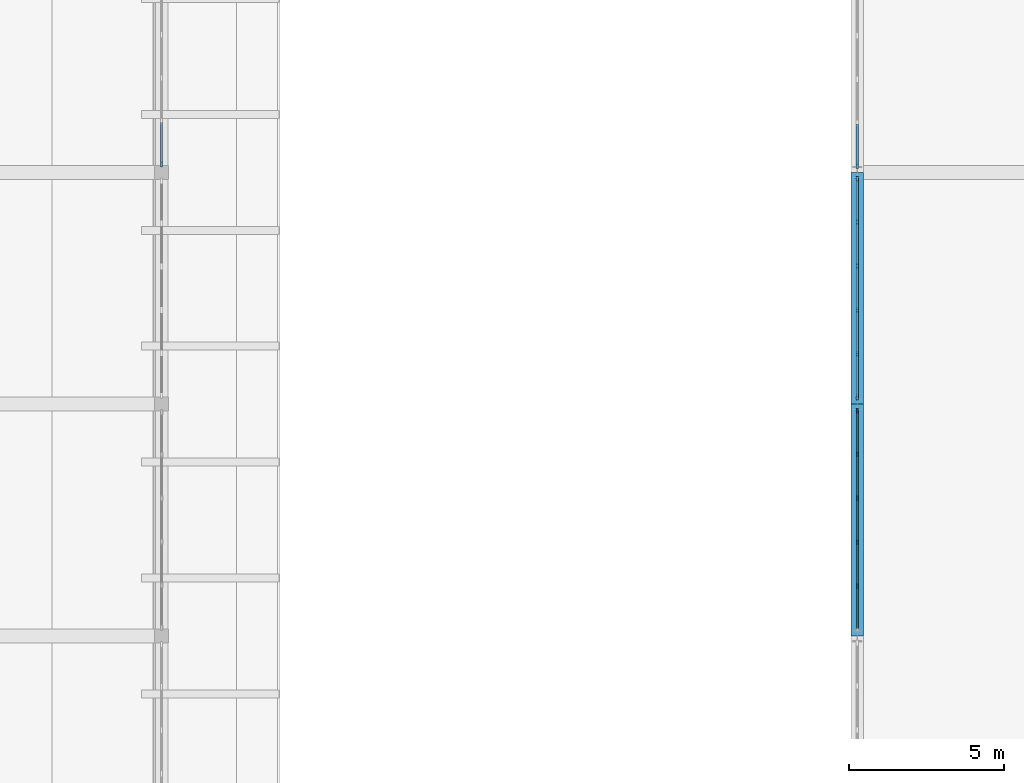
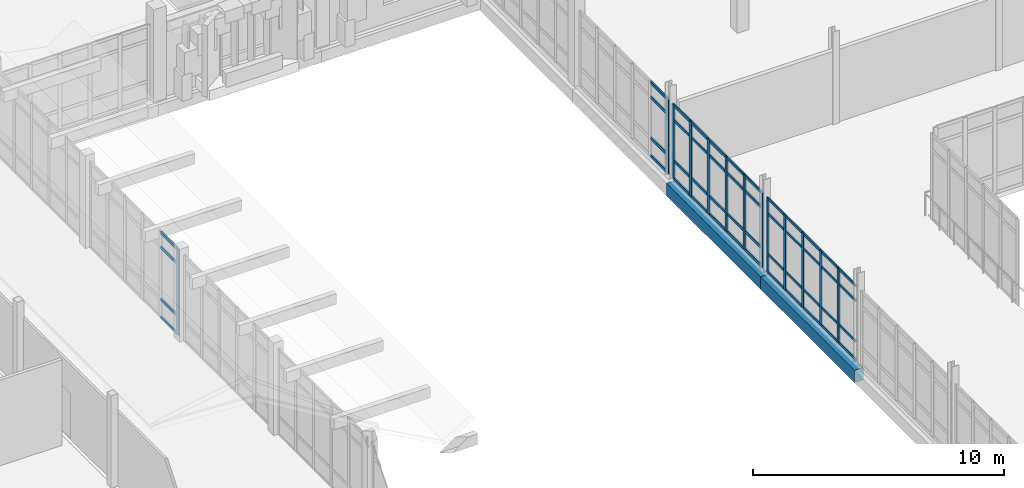
# One storey, part 25 of 128: 61 members, 2 beams, 4 elements without a shape of their own.
"""IFC4 building model written with IfcOpenShell, lengths in metres."""

from ifc_helpers import new_model, si_unit, direction, frame, origin, origin_2d, place, context, subcontext, project, spatial, rectangle, extrude, material, layer, layer_set, material_profile, profile_set, type_object, element, aggregate, save


model = new_model("IFC4")

# Units and contexts
model_context = context("Model", 3, precision=1e-05, world=origin(), true_north=direction((0.0, 1.0)))
body_context = subcontext(model_context, "Body", "Model", "MODEL_VIEW")
ifc_project = project(units=[si_unit("LENGTHUNIT", "METRE"), si_unit("AREAUNIT", "SQUARE_METRE"), si_unit("VOLUMEUNIT", "CUBIC_METRE"), si_unit("PLANEANGLEUNIT", "RADIAN"), si_unit("MASSUNIT", "GRAM", prefix="KILO")], contexts=[model_context])

# Site, building, storey
site_placement = place(None, origin())
site = spatial("IfcSite", under=ifc_project, at=site_placement, CompositionType="ELEMENT")
building_placement = place(site_placement, origin())
building = spatial("IfcBuilding", under=site, at=building_placement, Name="Dalvernix Boulevard General Hospital", CompositionType="ELEMENT")
storey_placement = place(building_placement, frame((0.0, 0.0, 4.800048828125)))
storey = spatial("IfcBuildingStorey", under=building, at=storey_placement, Name="L01", CompositionType="ELEMENT", Elevation=4.800048828125)

# Beams
ifc_material_1 = material(Name="Concrete C35/45", Category="concrete")
ifc_material_profile_1 = material_profile(ifc_material_1, rectangle(XDim=0.39990234375, YDim=0.60009765625, at=origin_2d()), Name="RCB 400x600")
ifc_profile_set_1 = profile_set([ifc_material_profile_1], Name="Concrete C35/45")
beam_type = type_object("IfcBeamType", Name="BM-SB-02-E", PredefinedType="SPANDREL", material=ifc_profile_set_1)
for number, where, z_axis, x_axis, name in (
    (1, (60.0, 46.5, -0.60009765625), (0.0, 1.0, 0.0), (-1.0, 0.0, 0.0), "L01 N-S girder 9:G-H"),
    (2, (60.0, 54.0, -0.60009765625), (0.0, 1.0, 0.0), (-1.0, 0.0, 0.0), "L01 N-S girder 9:H-J"),
):
    element("IfcBeam", number, at=place(storey_placement, frame(where, z_axis=z_axis, x_axis=x_axis)), inside=storey, type_object=beam_type, Name=name, PredefinedType="SPANDREL", context=body_context, shape_type="SweptSolid", body=[
        extrude(rectangle(XDim=0.39990234375, YDim=0.60009765625, at=origin_2d()), origin(), (0.0, 0.0, 1.0), 7.5),
    ])

# Curtain wall, members
ifc_material_2 = material(Name="Thermally broken aluminium and solar-control glass curtain wall", Category="aluminium")
ifc_layer_1 = layer(ifc_material_2, 0.159912109375)
ifc_layer_set_1 = layer_set([ifc_layer_1], Name="Thermally broken aluminium and solar-control glass curtain wall (CW-CW-A-71x36)")
curtain_wall_type_1 = type_object("IfcCurtainWallType", Name="CW-CW-A-71x36", PredefinedType="USERDEFINED", material=ifc_layer_set_1)
curtain_wall_1_placement = place(storey_placement, origin())
curtain_wall_1 = element("IfcCurtainWall", 3, at=curtain_wall_1_placement, inside=storey, type_object=curtain_wall_type_1, Name="L01 curtain wall CW-A-71x36 8-6", ObjectType="GLAZED FACADE", PredefinedType="USERDEFINED")
ifc_material_3 = material(Name="Aluminium EN AW-6060", Category="aluminium")
ifc_material_profile_2 = material_profile(ifc_material_3, rectangle(XDim=0.06005859375, YDim=0.159912109375, at=origin_2d()), Name="ALU MULL 60x160")
ifc_profile_set_2 = profile_set([ifc_material_profile_2], Name="Aluminium EN AW-6060")
member_type_1 = type_object("IfcMemberType", Name="MEM-CW-M1", PredefinedType="MULLION", material=ifc_profile_set_2)
member_1_placement = place(storey_placement, frame((60.0, 48.114013671875, 0.0), z_axis=(0.0, 0.0, 1.0), x_axis=(-1.0, 0.0, 0.0)))
member_1 = element("IfcMember", 4, at=member_1_placement, type_object=member_type_1, Name="CW-A-71x36 mullion 2", PredefinedType="MULLION", context=body_context, shape_type="SweptSolid", body=[
    extrude(rectangle(XDim=0.06005859375, YDim=0.159912109375, at=origin_2d()), origin(), (0.0, 0.0, 1.0), 3.6298828125),
])
member_2_placement = place(storey_placement, frame((60.0, 49.5380859375, 0.0), z_axis=(0.0, 0.0, 1.0), x_axis=(-1.0, 0.0, 0.0)))
member_2 = element("IfcMember", 5, at=member_2_placement, type_object=member_type_1, Name="CW-A-71x36 mullion 3", PredefinedType="MULLION", context=body_context, shape_type="SweptSolid", body=[
    extrude(rectangle(XDim=0.06005859375, YDim=0.159912109375, at=origin_2d()), origin(), (0.0, 0.0, 1.0), 3.6298828125),
])
member_3_placement = place(storey_placement, frame((60.0, 50.9619140625, 0.0), z_axis=(0.0, 0.0, 1.0), x_axis=(-1.0, 0.0, 0.0)))
member_3 = element("IfcMember", 6, at=member_3_placement, type_object=member_type_1, Name="CW-A-71x36 mullion 4", PredefinedType="MULLION", context=body_context, shape_type="SweptSolid", body=[
    extrude(rectangle(XDim=0.06005859375, YDim=0.159912109375, at=origin_2d()), origin(), (0.0, 0.0, 1.0), 3.6298828125),
])
member_4_placement = place(storey_placement, frame((60.0, 52.385986328125, 0.0), z_axis=(0.0, 0.0, 1.0), x_axis=(-1.0, 0.0, 0.0)))
member_4 = element("IfcMember", 7, at=member_4_placement, type_object=member_type_1, Name="CW-A-71x36 mullion 5", PredefinedType="MULLION", context=body_context, shape_type="SweptSolid", body=[
    extrude(rectangle(XDim=0.06005859375, YDim=0.159912109375, at=origin_2d()), origin(), (0.0, 0.0, 1.0), 3.6298828125),
])
member_5_placement = place(storey_placement, frame((60.0, 53.780029296875, 0.0), z_axis=(0.0, 0.0, 1.0), x_axis=(-1.0, 0.0, 0.0)))
member_5 = element("IfcMember", 8, at=member_5_placement, type_object=member_type_1, Name="CW-A-71x36 mullion 6", PredefinedType="MULLION", context=body_context, shape_type="SweptSolid", body=[
    extrude(rectangle(XDim=0.06005859375, YDim=0.159912109375, at=origin_2d()), origin(), (0.0, 0.0, 1.0), 3.6298828125),
])

ifc_layer_2 = layer(ifc_material_2, 0.179931640625)
ifc_layer_set_2 = layer_set([ifc_layer_2], Name="Thermally broken aluminium and solar-control glass curtain wall (CW-CW-B-71x36)")
curtain_wall_type_2 = type_object("IfcCurtainWallType", Name="CW-CW-B-71x36", PredefinedType="USERDEFINED", material=ifc_layer_set_2)
curtain_wall_2_placement = place(storey_placement, origin())
curtain_wall_2 = element("IfcCurtainWall", 9, at=curtain_wall_2_placement, inside=storey, type_object=curtain_wall_type_2, Name="L01 curtain wall CW-B-71x36 8-7", ObjectType="GLAZED FACADE", PredefinedType="USERDEFINED")
ifc_material_profile_3 = material_profile(ifc_material_3, rectangle(XDim=0.06494140625, YDim=0.179931640625, at=origin_2d()), Name="ALU MULL 65x180")
ifc_profile_set_3 = profile_set([ifc_material_profile_3], Name="Aluminium EN AW-6060")
member_type_2 = type_object("IfcMemberType", Name="MEM-CW-M2", PredefinedType="MULLION", material=ifc_profile_set_3)
member_6_placement = place(storey_placement, frame((60.0, 54.222412109375, 0.0), z_axis=(0.0, 0.0, 1.0), x_axis=(-1.0, 0.0, 0.0)))
member_6 = element("IfcMember", 10, at=member_6_placement, type_object=member_type_2, Name="CW-B-71x36 mullion 1", PredefinedType="MULLION", context=body_context, shape_type="SweptSolid", body=[
    extrude(rectangle(XDim=0.06494140625, YDim=0.179931640625, at=origin_2d()), origin(), (0.0, 0.0, 1.0), 3.6298828125),
])
member_7_placement = place(storey_placement, frame((60.0, 55.614013671875, 0.0), z_axis=(0.0, 0.0, 1.0), x_axis=(-1.0, 0.0, 0.0)))
member_7 = element("IfcMember", 11, at=member_7_placement, type_object=member_type_2, Name="CW-B-71x36 mullion 2", PredefinedType="MULLION", context=body_context, shape_type="SweptSolid", body=[
    extrude(rectangle(XDim=0.06494140625, YDim=0.179931640625, at=origin_2d()), origin(), (0.0, 0.0, 1.0), 3.6298828125),
])
member_8_placement = place(storey_placement, frame((60.0, 57.0380859375, 0.0), z_axis=(0.0, 0.0, 1.0), x_axis=(-1.0, 0.0, 0.0)))
member_8 = element("IfcMember", 12, at=member_8_placement, type_object=member_type_2, Name="CW-B-71x36 mullion 3", PredefinedType="MULLION", context=body_context, shape_type="SweptSolid", body=[
    extrude(rectangle(XDim=0.06494140625, YDim=0.179931640625, at=origin_2d()), origin(), (0.0, 0.0, 1.0), 3.6298828125),
])
member_9_placement = place(storey_placement, frame((60.0, 58.4619140625, 0.0), z_axis=(0.0, 0.0, 1.0), x_axis=(-1.0, 0.0, 0.0)))
member_9 = element("IfcMember", 13, at=member_9_placement, type_object=member_type_2, Name="CW-B-71x36 mullion 4", PredefinedType="MULLION", context=body_context, shape_type="SweptSolid", body=[
    extrude(rectangle(XDim=0.06494140625, YDim=0.179931640625, at=origin_2d()), origin(), (0.0, 0.0, 1.0), 3.6298828125),
])
member_10_placement = place(storey_placement, frame((60.0, 59.885986328125, 0.0), z_axis=(0.0, 0.0, 1.0), x_axis=(-1.0, 0.0, 0.0)))
member_10 = element("IfcMember", 14, at=member_10_placement, type_object=member_type_2, Name="CW-B-71x36 mullion 5", PredefinedType="MULLION", context=body_context, shape_type="SweptSolid", body=[
    extrude(rectangle(XDim=0.06494140625, YDim=0.179931640625, at=origin_2d()), origin(), (0.0, 0.0, 1.0), 3.6298828125),
])
member_11_placement = place(storey_placement, frame((60.0, 61.277587890625, 0.0), z_axis=(0.0, 0.0, 1.0), x_axis=(-1.0, 0.0, 0.0)))
member_11 = element("IfcMember", 15, at=member_11_placement, type_object=member_type_2, Name="CW-B-71x36 mullion 6", PredefinedType="MULLION", context=body_context, shape_type="SweptSolid", body=[
    extrude(rectangle(XDim=0.06494140625, YDim=0.179931640625, at=origin_2d()), origin(), (0.0, 0.0, 1.0), 3.6298828125),
])

# Curtain wall, member
ifc_layer_3 = layer(ifc_material_2, 0.199951171875)
ifc_layer_set_3 = layer_set([ifc_layer_3], Name="Thermally broken aluminium and solar-control glass curtain wall (CW-CW-C-70x42)")
curtain_wall_type_3 = type_object("IfcCurtainWallType", Name="CW-CW-C-70x42", PredefinedType="USERDEFINED", material=ifc_layer_set_3)
curtain_wall_3_placement = place(storey_placement, origin())
curtain_wall_3 = element("IfcCurtainWall", 16, at=curtain_wall_3_placement, inside=storey, type_object=curtain_wall_type_3, Name="L01 curtain wall CW-C-70x42 5-8", ObjectType="GLAZED FACADE", PredefinedType="USERDEFINED")
ifc_material_profile_4 = material_profile(ifc_material_3, rectangle(XDim=0.070068359375, YDim=0.199951171875, at=origin_2d()), Name="ALU MULL 70x200")
ifc_profile_set_4 = profile_set([ifc_material_profile_4], Name="Aluminium EN AW-6060")
member_type_3 = type_object("IfcMemberType", Name="MEM-CW-M3", PredefinedType="MULLION", material=ifc_profile_set_4)
member_12_placement = place(storey_placement, frame((37.5, 61.77001953125, 0.0), z_axis=(0.0, 0.0, 1.0), x_axis=(1.0, 0.0, 0.0)))
member_12 = element("IfcMember", 17, at=member_12_placement, type_object=member_type_3, Name="CW-C-70x42 mullion 6", PredefinedType="MULLION", context=body_context, shape_type="SweptSolid", body=[
    extrude(rectangle(XDim=0.070068359375, YDim=0.199951171875, at=origin_2d()), origin(), (0.0, 0.0, 1.0), 4.179931640625),
])

ifc_layer_4 = layer(ifc_material_2, 0.199951171875)
ifc_layer_set_4 = layer_set([ifc_layer_4], Name="Thermally broken aluminium and solar-control glass curtain wall (CW-CW-C-70x36)")
curtain_wall_type_4 = type_object("IfcCurtainWallType", Name="CW-CW-C-70x36", PredefinedType="USERDEFINED", material=ifc_layer_set_4)
curtain_wall_4_placement = place(storey_placement, origin())
curtain_wall_4 = element("IfcCurtainWall", 18, at=curtain_wall_4_placement, inside=storey, type_object=curtain_wall_type_4, Name="L01 curtain wall CW-C-70x36 8-8", ObjectType="GLAZED FACADE", PredefinedType="USERDEFINED")
member_13_placement = place(storey_placement, frame((60.0, 61.72509765625, 0.0), z_axis=(0.0, 0.0, 1.0), x_axis=(-1.0, 0.0, 0.0)))
member_13 = element("IfcMember", 19, at=member_13_placement, type_object=member_type_3, Name="CW-C-70x36 mullion 1", PredefinedType="MULLION", context=body_context, shape_type="SweptSolid", body=[
    extrude(rectangle(XDim=0.070068359375, YDim=0.199951171875, at=origin_2d()), origin(), (0.0, 0.0, 1.0), 3.6298828125),
])

# Member
ifc_material_profile_5 = material_profile(ifc_material_3, rectangle(XDim=0.06005859375, YDim=0.1201171875, at=origin_2d()), Name="ALU TRAN 60x120")
ifc_profile_set_5 = profile_set([ifc_material_profile_5], Name="Aluminium EN AW-6060")
member_type_4 = type_object("IfcMemberType", Name="MEM-CW-T1", PredefinedType="USERDEFINED", material=ifc_profile_set_5)
member_14_placement = place(storey_placement, frame((60.0, 46.75, 0.030029296875), z_axis=(0.0, 1.0, 0.0), x_axis=(-1.0, 0.0, 0.0)))
member_14 = element("IfcMember", 20, at=member_14_placement, type_object=member_type_4, Name="CW-A-71x36 transom 1.1", ObjectType="TRANSOM", PredefinedType="USERDEFINED", context=body_context, shape_type="SweptSolid", body=[
    extrude(rectangle(XDim=0.06005859375, YDim=0.1201171875, at=origin_2d()), origin(), (0.0, 0.0, 1.0), 1.333984375),
])

member_15_placement = place(storey_placement, frame((60.0, 46.75, 0.89990234375), z_axis=(0.0, 1.0, 0.0), x_axis=(-1.0, 0.0, 0.0)))
member_15 = element("IfcMember", 21, at=member_15_placement, type_object=member_type_4, Name="CW-A-71x36 transom 1.2", ObjectType="TRANSOM", PredefinedType="USERDEFINED", context=body_context, shape_type="SweptSolid", body=[
    extrude(rectangle(XDim=0.06005859375, YDim=0.1201171875, at=origin_2d()), origin(), (0.0, 0.0, 1.0), 1.333984375),
])

member_16_placement = place(storey_placement, frame((60.0, 46.75, 2.8798828125), z_axis=(0.0, 1.0, 0.0), x_axis=(-1.0, 0.0, 0.0)))
member_16 = element("IfcMember", 22, at=member_16_placement, type_object=member_type_4, Name="CW-A-71x36 transom 1.3", ObjectType="TRANSOM", PredefinedType="USERDEFINED", context=body_context, shape_type="SweptSolid", body=[
    extrude(rectangle(XDim=0.06005859375, YDim=0.1201171875, at=origin_2d()), origin(), (0.0, 0.0, 1.0), 1.333984375),
])

member_17_placement = place(storey_placement, frame((60.0, 46.75, 3.599853515625), z_axis=(0.0, 1.0, 0.0), x_axis=(-1.0, 0.0, 0.0)))
member_17 = element("IfcMember", 23, at=member_17_placement, type_object=member_type_4, Name="CW-A-71x36 transom 1.4", ObjectType="TRANSOM", PredefinedType="USERDEFINED", context=body_context, shape_type="SweptSolid", body=[
    extrude(rectangle(XDim=0.06005859375, YDim=0.1201171875, at=origin_2d()), origin(), (0.0, 0.0, 1.0), 1.333984375),
])

member_18_placement = place(storey_placement, frame((60.0, 48.14404296875, 0.030029296875), z_axis=(0.0, 1.0, 0.0), x_axis=(-1.0, 0.0, 0.0)))
member_18 = element("IfcMember", 24, at=member_18_placement, type_object=member_type_4, Name="CW-A-71x36 transom 2.1", ObjectType="TRANSOM", PredefinedType="USERDEFINED", context=body_context, shape_type="SweptSolid", body=[
    extrude(rectangle(XDim=0.06005859375, YDim=0.1201171875, at=origin_2d()), origin(), (0.0, 0.0, 1.0), 1.364013671875),
])

member_19_placement = place(storey_placement, frame((60.0, 48.14404296875, 0.89990234375), z_axis=(0.0, 1.0, 0.0), x_axis=(-1.0, 0.0, 0.0)))
member_19 = element("IfcMember", 25, at=member_19_placement, type_object=member_type_4, Name="CW-A-71x36 transom 2.2", ObjectType="TRANSOM", PredefinedType="USERDEFINED", context=body_context, shape_type="SweptSolid", body=[
    extrude(rectangle(XDim=0.06005859375, YDim=0.1201171875, at=origin_2d()), origin(), (0.0, 0.0, 1.0), 1.364013671875),
])

member_20_placement = place(storey_placement, frame((60.0, 48.14404296875, 2.8798828125), z_axis=(0.0, 1.0, 0.0), x_axis=(-1.0, 0.0, 0.0)))
member_20 = element("IfcMember", 26, at=member_20_placement, type_object=member_type_4, Name="CW-A-71x36 transom 2.3", ObjectType="TRANSOM", PredefinedType="USERDEFINED", context=body_context, shape_type="SweptSolid", body=[
    extrude(rectangle(XDim=0.06005859375, YDim=0.1201171875, at=origin_2d()), origin(), (0.0, 0.0, 1.0), 1.364013671875),
])

member_21_placement = place(storey_placement, frame((60.0, 48.14404296875, 3.599853515625), z_axis=(0.0, 1.0, 0.0), x_axis=(-1.0, 0.0, 0.0)))
member_21 = element("IfcMember", 27, at=member_21_placement, type_object=member_type_4, Name="CW-A-71x36 transom 2.4", ObjectType="TRANSOM", PredefinedType="USERDEFINED", context=body_context, shape_type="SweptSolid", body=[
    extrude(rectangle(XDim=0.06005859375, YDim=0.1201171875, at=origin_2d()), origin(), (0.0, 0.0, 1.0), 1.364013671875),
])

member_22_placement = place(storey_placement, frame((60.0, 49.568115234375, 0.030029296875), z_axis=(0.0, 1.0, 0.0), x_axis=(-1.0, 0.0, 0.0)))
member_22 = element("IfcMember", 28, at=member_22_placement, type_object=member_type_4, Name="CW-A-71x36 transom 3.1", ObjectType="TRANSOM", PredefinedType="USERDEFINED", context=body_context, shape_type="SweptSolid", body=[
    extrude(rectangle(XDim=0.06005859375, YDim=0.1201171875, at=origin_2d()), origin(), (0.0, 0.0, 1.0), 1.36376953125),
])

member_23_placement = place(storey_placement, frame((60.0, 49.568115234375, 0.89990234375), z_axis=(0.0, 1.0, 0.0), x_axis=(-1.0, 0.0, 0.0)))
member_23 = element("IfcMember", 29, at=member_23_placement, type_object=member_type_4, Name="CW-A-71x36 transom 3.2", ObjectType="TRANSOM", PredefinedType="USERDEFINED", context=body_context, shape_type="SweptSolid", body=[
    extrude(rectangle(XDim=0.06005859375, YDim=0.1201171875, at=origin_2d()), origin(), (0.0, 0.0, 1.0), 1.36376953125),
])

member_24_placement = place(storey_placement, frame((60.0, 49.568115234375, 2.8798828125), z_axis=(0.0, 1.0, 0.0), x_axis=(-1.0, 0.0, 0.0)))
member_24 = element("IfcMember", 30, at=member_24_placement, type_object=member_type_4, Name="CW-A-71x36 transom 3.3", ObjectType="TRANSOM", PredefinedType="USERDEFINED", context=body_context, shape_type="SweptSolid", body=[
    extrude(rectangle(XDim=0.06005859375, YDim=0.1201171875, at=origin_2d()), origin(), (0.0, 0.0, 1.0), 1.36376953125),
])

member_25_placement = place(storey_placement, frame((60.0, 49.568115234375, 3.599853515625), z_axis=(0.0, 1.0, 0.0), x_axis=(-1.0, 0.0, 0.0)))
member_25 = element("IfcMember", 31, at=member_25_placement, type_object=member_type_4, Name="CW-A-71x36 transom 3.4", ObjectType="TRANSOM", PredefinedType="USERDEFINED", context=body_context, shape_type="SweptSolid", body=[
    extrude(rectangle(XDim=0.06005859375, YDim=0.1201171875, at=origin_2d()), origin(), (0.0, 0.0, 1.0), 1.36376953125),
])

member_26_placement = place(storey_placement, frame((60.0, 50.991943359375, 0.030029296875), z_axis=(0.0, 1.0, 0.0), x_axis=(-1.0, 0.0, 0.0)))
member_26 = element("IfcMember", 32, at=member_26_placement, type_object=member_type_4, Name="CW-A-71x36 transom 4.1", ObjectType="TRANSOM", PredefinedType="USERDEFINED", context=body_context, shape_type="SweptSolid", body=[
    extrude(rectangle(XDim=0.06005859375, YDim=0.1201171875, at=origin_2d()), origin(), (0.0, 0.0, 1.0), 1.364013671875),
])

member_27_placement = place(storey_placement, frame((60.0, 50.991943359375, 0.89990234375), z_axis=(0.0, 1.0, 0.0), x_axis=(-1.0, 0.0, 0.0)))
member_27 = element("IfcMember", 33, at=member_27_placement, type_object=member_type_4, Name="CW-A-71x36 transom 4.2", ObjectType="TRANSOM", PredefinedType="USERDEFINED", context=body_context, shape_type="SweptSolid", body=[
    extrude(rectangle(XDim=0.06005859375, YDim=0.1201171875, at=origin_2d()), origin(), (0.0, 0.0, 1.0), 1.364013671875),
])

member_28_placement = place(storey_placement, frame((60.0, 50.991943359375, 2.8798828125), z_axis=(0.0, 1.0, 0.0), x_axis=(-1.0, 0.0, 0.0)))
member_28 = element("IfcMember", 34, at=member_28_placement, type_object=member_type_4, Name="CW-A-71x36 transom 4.3", ObjectType="TRANSOM", PredefinedType="USERDEFINED", context=body_context, shape_type="SweptSolid", body=[
    extrude(rectangle(XDim=0.06005859375, YDim=0.1201171875, at=origin_2d()), origin(), (0.0, 0.0, 1.0), 1.364013671875),
])

member_29_placement = place(storey_placement, frame((60.0, 50.991943359375, 3.599853515625), z_axis=(0.0, 1.0, 0.0), x_axis=(-1.0, 0.0, 0.0)))
member_29 = element("IfcMember", 35, at=member_29_placement, type_object=member_type_4, Name="CW-A-71x36 transom 4.4", ObjectType="TRANSOM", PredefinedType="USERDEFINED", context=body_context, shape_type="SweptSolid", body=[
    extrude(rectangle(XDim=0.06005859375, YDim=0.1201171875, at=origin_2d()), origin(), (0.0, 0.0, 1.0), 1.364013671875),
])

member_30_placement = place(storey_placement, frame((60.0, 52.416015625, 0.030029296875), z_axis=(0.0, 1.0, 0.0), x_axis=(-1.0, 0.0, 0.0)))
member_30 = element("IfcMember", 36, at=member_30_placement, type_object=member_type_4, Name="CW-A-71x36 transom 5.1", ObjectType="TRANSOM", PredefinedType="USERDEFINED", context=body_context, shape_type="SweptSolid", body=[
    extrude(rectangle(XDim=0.06005859375, YDim=0.1201171875, at=origin_2d()), origin(), (0.0, 0.0, 1.0), 1.333984375),
])

member_31_placement = place(storey_placement, frame((60.0, 52.416015625, 0.89990234375), z_axis=(0.0, 1.0, 0.0), x_axis=(-1.0, 0.0, 0.0)))
member_31 = element("IfcMember", 37, at=member_31_placement, type_object=member_type_4, Name="CW-A-71x36 transom 5.2", ObjectType="TRANSOM", PredefinedType="USERDEFINED", context=body_context, shape_type="SweptSolid", body=[
    extrude(rectangle(XDim=0.06005859375, YDim=0.1201171875, at=origin_2d()), origin(), (0.0, 0.0, 1.0), 1.333984375),
])

member_32_placement = place(storey_placement, frame((60.0, 52.416015625, 2.8798828125), z_axis=(0.0, 1.0, 0.0), x_axis=(-1.0, 0.0, 0.0)))
member_32 = element("IfcMember", 38, at=member_32_placement, type_object=member_type_4, Name="CW-A-71x36 transom 5.3", ObjectType="TRANSOM", PredefinedType="USERDEFINED", context=body_context, shape_type="SweptSolid", body=[
    extrude(rectangle(XDim=0.06005859375, YDim=0.1201171875, at=origin_2d()), origin(), (0.0, 0.0, 1.0), 1.333984375),
])

member_33_placement = place(storey_placement, frame((60.0, 52.416015625, 3.599853515625), z_axis=(0.0, 1.0, 0.0), x_axis=(-1.0, 0.0, 0.0)))
member_33 = element("IfcMember", 39, at=member_33_placement, type_object=member_type_4, Name="CW-A-71x36 transom 5.4", ObjectType="TRANSOM", PredefinedType="USERDEFINED", context=body_context, shape_type="SweptSolid", body=[
    extrude(rectangle(XDim=0.06005859375, YDim=0.1201171875, at=origin_2d()), origin(), (0.0, 0.0, 1.0), 1.333984375),
])

aggregate(curtain_wall_1, [member_1, member_2, member_3, member_4, member_5, member_14, member_15, member_16, member_17, member_18, member_19, member_20, member_21, member_22, member_23, member_24, member_25, member_26, member_27, member_28, member_29, member_30, member_31, member_32, member_33])

ifc_material_profile_6 = material_profile(ifc_material_3, rectangle(XDim=0.06494140625, YDim=0.139892578125, at=origin_2d()), Name="ALU TRAN 65x140")
ifc_profile_set_6 = profile_set([ifc_material_profile_6], Name="Aluminium EN AW-6060")
member_type_5 = type_object("IfcMemberType", Name="MEM-CW-T2", PredefinedType="USERDEFINED", material=ifc_profile_set_6)
member_34_placement = place(storey_placement, frame((60.0, 54.2548828125, 0.032470703125), z_axis=(0.0, 1.0, 0.0), x_axis=(-1.0, 0.0, 0.0)))
member_34 = element("IfcMember", 40, at=member_34_placement, type_object=member_type_5, Name="CW-B-71x36 transom 1.1", ObjectType="TRANSOM", PredefinedType="USERDEFINED", context=body_context, shape_type="SweptSolid", body=[
    extrude(rectangle(XDim=0.06494140625, YDim=0.139892578125, at=origin_2d()), origin(), (0.0, 0.0, 1.0), 1.32666015625),
])

member_35_placement = place(storey_placement, frame((60.0, 54.2548828125, 0.89990234375), z_axis=(0.0, 1.0, 0.0), x_axis=(-1.0, 0.0, 0.0)))
member_35 = element("IfcMember", 41, at=member_35_placement, type_object=member_type_5, Name="CW-B-71x36 transom 1.2", ObjectType="TRANSOM", PredefinedType="USERDEFINED", context=body_context, shape_type="SweptSolid", body=[
    extrude(rectangle(XDim=0.06494140625, YDim=0.139892578125, at=origin_2d()), origin(), (0.0, 0.0, 1.0), 1.32666015625),
])

member_36_placement = place(storey_placement, frame((60.0, 54.2548828125, 2.8798828125), z_axis=(0.0, 1.0, 0.0), x_axis=(-1.0, 0.0, 0.0)))
member_36 = element("IfcMember", 42, at=member_36_placement, type_object=member_type_5, Name="CW-B-71x36 transom 1.3", ObjectType="TRANSOM", PredefinedType="USERDEFINED", context=body_context, shape_type="SweptSolid", body=[
    extrude(rectangle(XDim=0.06494140625, YDim=0.139892578125, at=origin_2d()), origin(), (0.0, 0.0, 1.0), 1.32666015625),
])

member_37_placement = place(storey_placement, frame((60.0, 54.2548828125, 3.597412109375), z_axis=(0.0, 1.0, 0.0), x_axis=(-1.0, 0.0, 0.0)))
member_37 = element("IfcMember", 43, at=member_37_placement, type_object=member_type_5, Name="CW-B-71x36 transom 1.4", ObjectType="TRANSOM", PredefinedType="USERDEFINED", context=body_context, shape_type="SweptSolid", body=[
    extrude(rectangle(XDim=0.06494140625, YDim=0.139892578125, at=origin_2d()), origin(), (0.0, 0.0, 1.0), 1.32666015625),
])

member_38_placement = place(storey_placement, frame((60.0, 55.646484375, 0.032470703125), z_axis=(0.0, 1.0, 0.0), x_axis=(-1.0, 0.0, 0.0)))
member_38 = element("IfcMember", 44, at=member_38_placement, type_object=member_type_5, Name="CW-B-71x36 transom 2.1", ObjectType="TRANSOM", PredefinedType="USERDEFINED", context=body_context, shape_type="SweptSolid", body=[
    extrude(rectangle(XDim=0.06494140625, YDim=0.139892578125, at=origin_2d()), origin(), (0.0, 0.0, 1.0), 1.359130859375),
])

member_39_placement = place(storey_placement, frame((60.0, 55.646484375, 0.89990234375), z_axis=(0.0, 1.0, 0.0), x_axis=(-1.0, 0.0, 0.0)))
member_39 = element("IfcMember", 45, at=member_39_placement, type_object=member_type_5, Name="CW-B-71x36 transom 2.2", ObjectType="TRANSOM", PredefinedType="USERDEFINED", context=body_context, shape_type="SweptSolid", body=[
    extrude(rectangle(XDim=0.06494140625, YDim=0.139892578125, at=origin_2d()), origin(), (0.0, 0.0, 1.0), 1.359130859375),
])

member_40_placement = place(storey_placement, frame((60.0, 55.646484375, 2.8798828125), z_axis=(0.0, 1.0, 0.0), x_axis=(-1.0, 0.0, 0.0)))
member_40 = element("IfcMember", 46, at=member_40_placement, type_object=member_type_5, Name="CW-B-71x36 transom 2.3", ObjectType="TRANSOM", PredefinedType="USERDEFINED", context=body_context, shape_type="SweptSolid", body=[
    extrude(rectangle(XDim=0.06494140625, YDim=0.139892578125, at=origin_2d()), origin(), (0.0, 0.0, 1.0), 1.359130859375),
])

member_41_placement = place(storey_placement, frame((60.0, 55.646484375, 3.597412109375), z_axis=(0.0, 1.0, 0.0), x_axis=(-1.0, 0.0, 0.0)))
member_41 = element("IfcMember", 47, at=member_41_placement, type_object=member_type_5, Name="CW-B-71x36 transom 2.4", ObjectType="TRANSOM", PredefinedType="USERDEFINED", context=body_context, shape_type="SweptSolid", body=[
    extrude(rectangle(XDim=0.06494140625, YDim=0.139892578125, at=origin_2d()), origin(), (0.0, 0.0, 1.0), 1.359130859375),
])

member_42_placement = place(storey_placement, frame((60.0, 57.070556640625, 0.032470703125), z_axis=(0.0, 1.0, 0.0), x_axis=(-1.0, 0.0, 0.0)))
member_42 = element("IfcMember", 48, at=member_42_placement, type_object=member_type_5, Name="CW-B-71x36 transom 3.1", ObjectType="TRANSOM", PredefinedType="USERDEFINED", context=body_context, shape_type="SweptSolid", body=[
    extrude(rectangle(XDim=0.06494140625, YDim=0.139892578125, at=origin_2d()), origin(), (0.0, 0.0, 1.0), 1.35888671875),
])

member_43_placement = place(storey_placement, frame((60.0, 57.070556640625, 0.89990234375), z_axis=(0.0, 1.0, 0.0), x_axis=(-1.0, 0.0, 0.0)))
member_43 = element("IfcMember", 49, at=member_43_placement, type_object=member_type_5, Name="CW-B-71x36 transom 3.2", ObjectType="TRANSOM", PredefinedType="USERDEFINED", context=body_context, shape_type="SweptSolid", body=[
    extrude(rectangle(XDim=0.06494140625, YDim=0.139892578125, at=origin_2d()), origin(), (0.0, 0.0, 1.0), 1.35888671875),
])

member_44_placement = place(storey_placement, frame((60.0, 57.070556640625, 2.8798828125), z_axis=(0.0, 1.0, 0.0), x_axis=(-1.0, 0.0, 0.0)))
member_44 = element("IfcMember", 50, at=member_44_placement, type_object=member_type_5, Name="CW-B-71x36 transom 3.3", ObjectType="TRANSOM", PredefinedType="USERDEFINED", context=body_context, shape_type="SweptSolid", body=[
    extrude(rectangle(XDim=0.06494140625, YDim=0.139892578125, at=origin_2d()), origin(), (0.0, 0.0, 1.0), 1.35888671875),
])

member_45_placement = place(storey_placement, frame((60.0, 57.070556640625, 3.597412109375), z_axis=(0.0, 1.0, 0.0), x_axis=(-1.0, 0.0, 0.0)))
member_45 = element("IfcMember", 51, at=member_45_placement, type_object=member_type_5, Name="CW-B-71x36 transom 3.4", ObjectType="TRANSOM", PredefinedType="USERDEFINED", context=body_context, shape_type="SweptSolid", body=[
    extrude(rectangle(XDim=0.06494140625, YDim=0.139892578125, at=origin_2d()), origin(), (0.0, 0.0, 1.0), 1.35888671875),
])

member_46_placement = place(storey_placement, frame((60.0, 58.494384765625, 0.032470703125), z_axis=(0.0, 1.0, 0.0), x_axis=(-1.0, 0.0, 0.0)))
member_46 = element("IfcMember", 52, at=member_46_placement, type_object=member_type_5, Name="CW-B-71x36 transom 4.1", ObjectType="TRANSOM", PredefinedType="USERDEFINED", context=body_context, shape_type="SweptSolid", body=[
    extrude(rectangle(XDim=0.06494140625, YDim=0.139892578125, at=origin_2d()), origin(), (0.0, 0.0, 1.0), 1.359130859375),
])

member_47_placement = place(storey_placement, frame((60.0, 58.494384765625, 0.89990234375), z_axis=(0.0, 1.0, 0.0), x_axis=(-1.0, 0.0, 0.0)))
member_47 = element("IfcMember", 53, at=member_47_placement, type_object=member_type_5, Name="CW-B-71x36 transom 4.2", ObjectType="TRANSOM", PredefinedType="USERDEFINED", context=body_context, shape_type="SweptSolid", body=[
    extrude(rectangle(XDim=0.06494140625, YDim=0.139892578125, at=origin_2d()), origin(), (0.0, 0.0, 1.0), 1.359130859375),
])

member_48_placement = place(storey_placement, frame((60.0, 58.494384765625, 2.8798828125), z_axis=(0.0, 1.0, 0.0), x_axis=(-1.0, 0.0, 0.0)))
member_48 = element("IfcMember", 54, at=member_48_placement, type_object=member_type_5, Name="CW-B-71x36 transom 4.3", ObjectType="TRANSOM", PredefinedType="USERDEFINED", context=body_context, shape_type="SweptSolid", body=[
    extrude(rectangle(XDim=0.06494140625, YDim=0.139892578125, at=origin_2d()), origin(), (0.0, 0.0, 1.0), 1.359130859375),
])

member_49_placement = place(storey_placement, frame((60.0, 58.494384765625, 3.597412109375), z_axis=(0.0, 1.0, 0.0), x_axis=(-1.0, 0.0, 0.0)))
member_49 = element("IfcMember", 55, at=member_49_placement, type_object=member_type_5, Name="CW-B-71x36 transom 4.4", ObjectType="TRANSOM", PredefinedType="USERDEFINED", context=body_context, shape_type="SweptSolid", body=[
    extrude(rectangle(XDim=0.06494140625, YDim=0.139892578125, at=origin_2d()), origin(), (0.0, 0.0, 1.0), 1.359130859375),
])

member_50_placement = place(storey_placement, frame((60.0, 59.91845703125, 0.032470703125), z_axis=(0.0, 1.0, 0.0), x_axis=(-1.0, 0.0, 0.0)))
member_50 = element("IfcMember", 56, at=member_50_placement, type_object=member_type_5, Name="CW-B-71x36 transom 5.1", ObjectType="TRANSOM", PredefinedType="USERDEFINED", context=body_context, shape_type="SweptSolid", body=[
    extrude(rectangle(XDim=0.06494140625, YDim=0.139892578125, at=origin_2d()), origin(), (0.0, 0.0, 1.0), 1.32666015625),
])

member_51_placement = place(storey_placement, frame((60.0, 59.91845703125, 0.89990234375), z_axis=(0.0, 1.0, 0.0), x_axis=(-1.0, 0.0, 0.0)))
member_51 = element("IfcMember", 57, at=member_51_placement, type_object=member_type_5, Name="CW-B-71x36 transom 5.2", ObjectType="TRANSOM", PredefinedType="USERDEFINED", context=body_context, shape_type="SweptSolid", body=[
    extrude(rectangle(XDim=0.06494140625, YDim=0.139892578125, at=origin_2d()), origin(), (0.0, 0.0, 1.0), 1.32666015625),
])

member_52_placement = place(storey_placement, frame((60.0, 59.91845703125, 2.8798828125), z_axis=(0.0, 1.0, 0.0), x_axis=(-1.0, 0.0, 0.0)))
member_52 = element("IfcMember", 58, at=member_52_placement, type_object=member_type_5, Name="CW-B-71x36 transom 5.3", ObjectType="TRANSOM", PredefinedType="USERDEFINED", context=body_context, shape_type="SweptSolid", body=[
    extrude(rectangle(XDim=0.06494140625, YDim=0.139892578125, at=origin_2d()), origin(), (0.0, 0.0, 1.0), 1.32666015625),
])

member_53_placement = place(storey_placement, frame((60.0, 59.91845703125, 3.597412109375), z_axis=(0.0, 1.0, 0.0), x_axis=(-1.0, 0.0, 0.0)))
member_53 = element("IfcMember", 59, at=member_53_placement, type_object=member_type_5, Name="CW-B-71x36 transom 5.4", ObjectType="TRANSOM", PredefinedType="USERDEFINED", context=body_context, shape_type="SweptSolid", body=[
    extrude(rectangle(XDim=0.06494140625, YDim=0.139892578125, at=origin_2d()), origin(), (0.0, 0.0, 1.0), 1.32666015625),
])

aggregate(curtain_wall_2, [member_6, member_7, member_8, member_9, member_10, member_11, member_34, member_35, member_36, member_37, member_38, member_39, member_40, member_41, member_42, member_43, member_44, member_45, member_46, member_47, member_48, member_49, member_50, member_51, member_52, member_53])

ifc_material_profile_7 = material_profile(ifc_material_3, rectangle(XDim=0.070068359375, YDim=0.14990234375, at=origin_2d()), Name="ALU TRAN 70x150")
ifc_profile_set_7 = profile_set([ifc_material_profile_7], Name="Aluminium EN AW-6060")
member_type_6 = type_object("IfcMemberType", Name="MEM-CW-T3", PredefinedType="USERDEFINED", material=ifc_profile_set_7)
member_54_placement = place(storey_placement, frame((37.5, 63.10595703125, 0.034912109375), z_axis=(0.0, -1.0, 0.0), x_axis=(1.0, 0.0, 0.0)))
member_54 = element("IfcMember", 60, at=member_54_placement, type_object=member_type_6, Name="CW-C-70x42 transom 5.1", ObjectType="TRANSOM", PredefinedType="USERDEFINED", context=body_context, shape_type="SweptSolid", body=[
    extrude(rectangle(XDim=0.070068359375, YDim=0.14990234375, at=origin_2d()), origin(), (0.0, 0.0, 1.0), 1.301025390625),
])

member_55_placement = place(storey_placement, frame((37.5, 63.10595703125, 0.89990234375), z_axis=(0.0, -1.0, 0.0), x_axis=(1.0, 0.0, 0.0)))
member_55 = element("IfcMember", 61, at=member_55_placement, type_object=member_type_6, Name="CW-C-70x42 transom 5.2", ObjectType="TRANSOM", PredefinedType="USERDEFINED", context=body_context, shape_type="SweptSolid", body=[
    extrude(rectangle(XDim=0.070068359375, YDim=0.14990234375, at=origin_2d()), origin(), (0.0, 0.0, 1.0), 1.301025390625),
])

member_56_placement = place(storey_placement, frame((37.5, 63.10595703125, 3.429931640625), z_axis=(0.0, -1.0, 0.0), x_axis=(1.0, 0.0, 0.0)))
member_56 = element("IfcMember", 62, at=member_56_placement, type_object=member_type_6, Name="CW-C-70x42 transom 5.3", ObjectType="TRANSOM", PredefinedType="USERDEFINED", context=body_context, shape_type="SweptSolid", body=[
    extrude(rectangle(XDim=0.070068359375, YDim=0.14990234375, at=origin_2d()), origin(), (0.0, 0.0, 1.0), 1.301025390625),
])

member_57_placement = place(storey_placement, frame((37.5, 63.10595703125, 4.14501953125), z_axis=(0.0, -1.0, 0.0), x_axis=(1.0, 0.0, 0.0)))
member_57 = element("IfcMember", 63, at=member_57_placement, type_object=member_type_6, Name="CW-C-70x42 transom 5.4", ObjectType="TRANSOM", PredefinedType="USERDEFINED", context=body_context, shape_type="SweptSolid", body=[
    extrude(rectangle(XDim=0.070068359375, YDim=0.14990234375, at=origin_2d()), origin(), (0.0, 0.0, 1.0), 1.301025390625),
])

aggregate(curtain_wall_3, [member_12, member_54, member_55, member_56, member_57])

member_58_placement = place(storey_placement, frame((60.0, 61.760009765625, 0.034912109375), z_axis=(0.0, 1.0, 0.0), x_axis=(-1.0, 0.0, 0.0)))
member_58 = element("IfcMember", 64, at=member_58_placement, type_object=member_type_6, Name="CW-C-70x36 transom 1.1", ObjectType="TRANSOM", PredefinedType="USERDEFINED", context=body_context, shape_type="SweptSolid", body=[
    extrude(rectangle(XDim=0.070068359375, YDim=0.14990234375, at=origin_2d()), origin(), (0.0, 0.0, 1.0), 1.304931640625),
])

member_59_placement = place(storey_placement, frame((60.0, 61.760009765625, 0.89990234375), z_axis=(0.0, 1.0, 0.0), x_axis=(-1.0, 0.0, 0.0)))
member_59 = element("IfcMember", 65, at=member_59_placement, type_object=member_type_6, Name="CW-C-70x36 transom 1.2", ObjectType="TRANSOM", PredefinedType="USERDEFINED", context=body_context, shape_type="SweptSolid", body=[
    extrude(rectangle(XDim=0.070068359375, YDim=0.14990234375, at=origin_2d()), origin(), (0.0, 0.0, 1.0), 1.304931640625),
])

member_60_placement = place(storey_placement, frame((60.0, 61.760009765625, 2.8798828125), z_axis=(0.0, 1.0, 0.0), x_axis=(-1.0, 0.0, 0.0)))
member_60 = element("IfcMember", 66, at=member_60_placement, type_object=member_type_6, Name="CW-C-70x36 transom 1.3", ObjectType="TRANSOM", PredefinedType="USERDEFINED", context=body_context, shape_type="SweptSolid", body=[
    extrude(rectangle(XDim=0.070068359375, YDim=0.14990234375, at=origin_2d()), origin(), (0.0, 0.0, 1.0), 1.304931640625),
])

member_61_placement = place(storey_placement, frame((60.0, 61.760009765625, 3.594970703125), z_axis=(0.0, 1.0, 0.0), x_axis=(-1.0, 0.0, 0.0)))
member_61 = element("IfcMember", 67, at=member_61_placement, type_object=member_type_6, Name="CW-C-70x36 transom 1.4", ObjectType="TRANSOM", PredefinedType="USERDEFINED", context=body_context, shape_type="SweptSolid", body=[
    extrude(rectangle(XDim=0.070068359375, YDim=0.14990234375, at=origin_2d()), origin(), (0.0, 0.0, 1.0), 1.304931640625),
])

aggregate(curtain_wall_4, [member_13, member_58, member_59, member_60, member_61])

save(model, "model.ifc")
